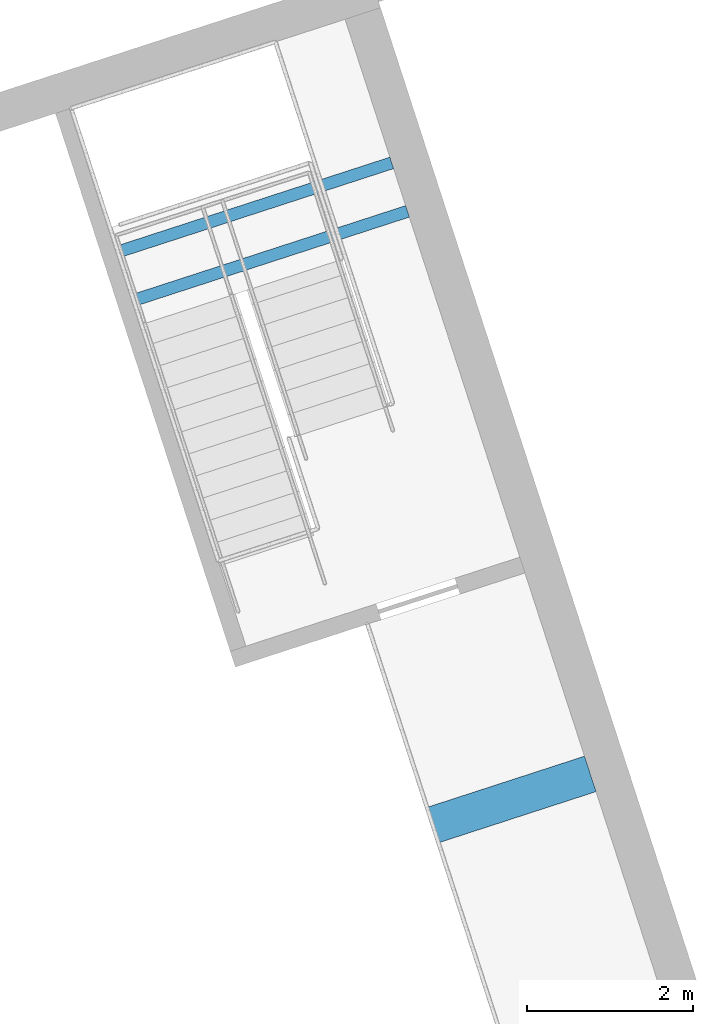
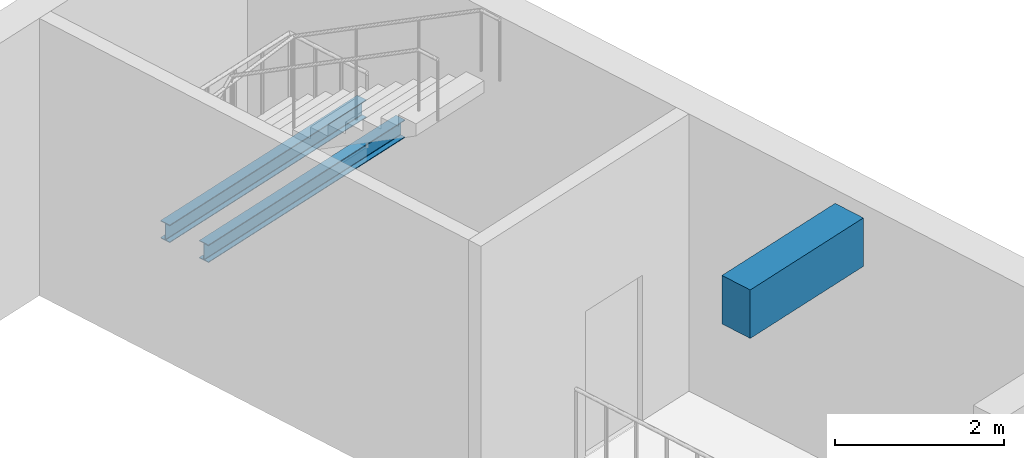
# One storey, part 5 of 66: 3 beams.
"""IFC4 building model written with IfcOpenShell, lengths in metres."""

from ifc_helpers import new_model, si_unit, direction, frame, origin, origin_2d, place, context, subcontext, project, spatial, rectangle, i_section, extrude, material, material_profile, profile_set, type_object, element, save


model = new_model("IFC4")

# Units and contexts
model_context = context("Model", 3, precision=1e-05, world=origin(), true_north=direction((0.0, 1.0)))
body_context = subcontext(model_context, "Body", "Model", "MODEL_VIEW")
ifc_project = project(units=[si_unit("LENGTHUNIT", "METRE"), si_unit("AREAUNIT", "SQUARE_METRE"), si_unit("VOLUMEUNIT", "CUBIC_METRE"), si_unit("PLANEANGLEUNIT", "RADIAN"), si_unit("MASSUNIT", "GRAM", prefix="KILO")], contexts=[model_context])

# Site, building, storey
site_placement = place(None, origin())
site = spatial("IfcSite", under=ifc_project, at=site_placement, CompositionType="ELEMENT")
building_placement = place(site_placement, origin())
building = spatial("IfcBuilding", under=site, at=building_placement, Name="Tuart Plaza Theatre", CompositionType="ELEMENT")
storey_placement = place(building_placement, frame((0.0, 0.0, 5.5)))
storey = spatial("IfcBuildingStorey", under=building, at=storey_placement, Name="L01", CompositionType="ELEMENT", Elevation=5.5)

# Beams
ifc_material_1 = material(Name="Steel Grade 300", Category="steel")
ifc_material_profile_1 = material_profile(ifc_material_1, i_section(OverallWidth=0.14599609375, OverallDepth=0.256103515625, WebThickness=0.00634765625, FlangeThickness=0.010986328125, FilletRadius=0.0087890625, at=origin_2d()), Name="250UB37.3")
ifc_profile_set_1 = profile_set([ifc_material_profile_1], Name="Steel Grade 300")
beam_type_1 = type_object("IfcBeamType", Name="BEAM 250UB37.3", PredefinedType="BEAM", material=ifc_profile_set_1)
for number, where, z_axis, x_axis, name in (
    (1, (59.861572265625, 93.521484375, 1.672119140625), (0.951044910246, 0.30905271184, 0.0), (-0.30905271184, 0.951044910246, 0.0), "SB43"),
    (2, (60.0517578125, 92.936767578125, 1.672119140625), (0.951065558197, 0.308989164878, 0.0), (-0.308989164878, 0.951065558197, 0.0), "SB44"),
):
    element("IfcBeam", number, at=place(storey_placement, frame(where, z_axis=z_axis, x_axis=x_axis)), inside=storey, type_object=beam_type_1, Name=name, PredefinedType="BEAM", context=body_context, shape_type="SweptSolid", body=[
        extrude(i_section(OverallWidth=0.14599609375, OverallDepth=0.256103515625, WebThickness=0.00634765625, FlangeThickness=0.010986328125, FilletRadius=0.0087890625, at=origin_2d()), origin(), (0.0, 0.0, 1.0), 3.47509765625),
    ])
ifc_material_2 = material(Name="Concrete N40 (40 MPa)", Category="concrete")
ifc_material_profile_2 = material_profile(ifc_material_2, rectangle(XDim=0.449951171875, YDim=0.699951171875, at=origin_2d()), Name="BEAM 450x700 Concrete N40 (40 MPa)")
ifc_profile_set_2 = profile_set([ifc_material_profile_2], Name="Concrete N40 (40 MPa)")
beam_type_2 = type_object("IfcBeamType", Name="BEAM 450x700 Concrete N40 (40 MPa)", PredefinedType="BEAM", material=ifc_profile_set_2)
beam_placement = place(storey_placement, frame((65.562255859375, 87.222412109375, 3.449951171875), z_axis=(-0.951036759863, -0.309077791808, 0.0), x_axis=(0.309077791808, -0.951036759863, 0.0)))
element("IfcBeam", 3, at=beam_placement, inside=storey, type_object=beam_type_2, Name="RB46", PredefinedType="BEAM", context=body_context, shape_type="SweptSolid", body=[
    extrude(rectangle(XDim=0.449951171875, YDim=0.699951171875, at=origin_2d()), origin(), (0.0, 0.0, 1.0), 2.0),
])

save(model, "model.ifc")
